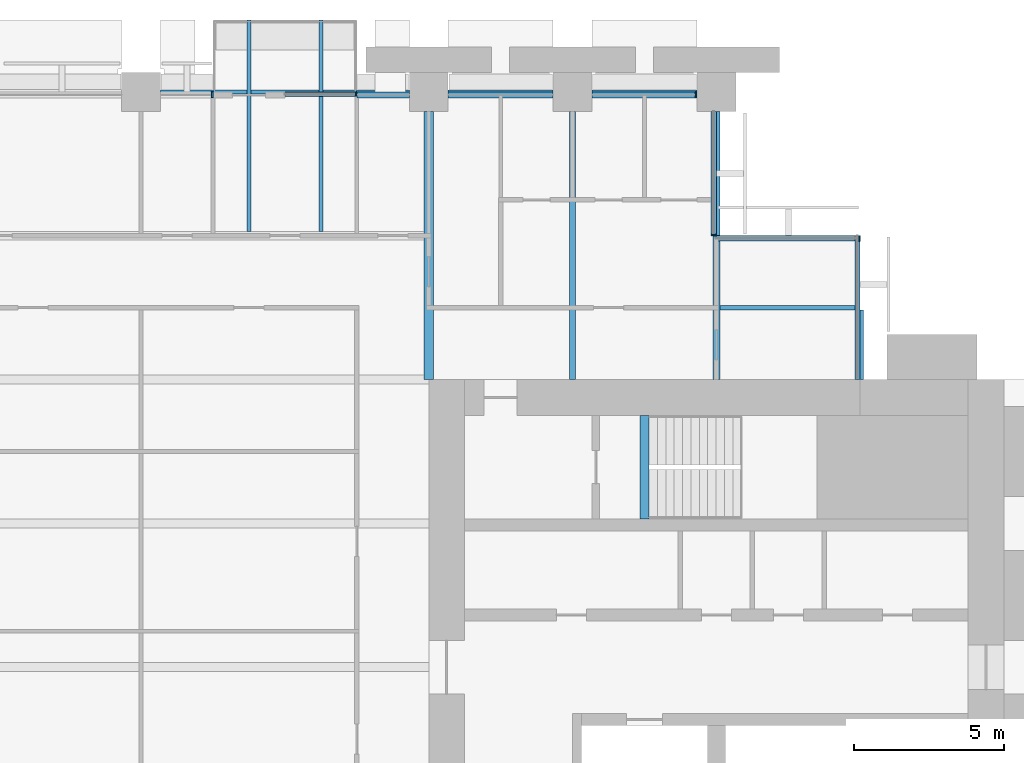
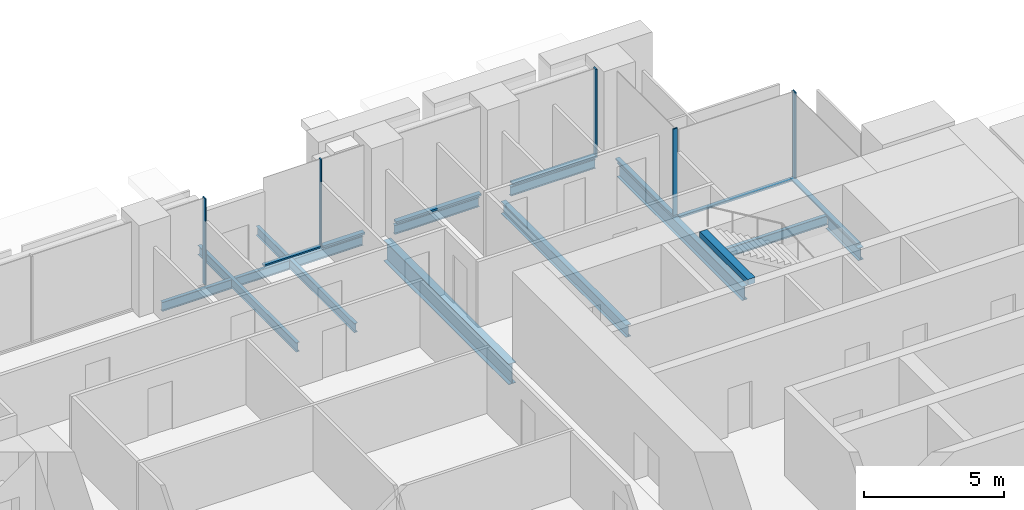
# One storey, part 7 of 15: 13 beams, 12 members, 6 elements without a shape of their own.
"""IFC4 building model written with IfcOpenShell, lengths in metres."""

from ifc_helpers import new_model, si_unit, direction, frame, origin, origin_2d, place, context, subcontext, project, spatial, rectangle, i_section, extrude, material, material_profile, profile_set, type_object, element, aggregate, save


model = new_model("IFC4")

# Units and contexts
model_context = context("Model", 3, precision=1e-05, world=origin(), true_north=direction((0.0, 1.0)))
body_context = subcontext(model_context, "Body", "Model", "MODEL_VIEW")
ifc_project = project(units=[si_unit("LENGTHUNIT", "METRE"), si_unit("AREAUNIT", "SQUARE_METRE"), si_unit("VOLUMEUNIT", "CUBIC_METRE"), si_unit("PLANEANGLEUNIT", "RADIAN"), si_unit("MASSUNIT", "GRAM", prefix="KILO")], contexts=[model_context])

# Site, building, storey
site_placement = place(None, origin())
site = spatial("IfcSite", under=ifc_project, at=site_placement, CompositionType="ELEMENT")
building_placement = place(site_placement, origin())
building = spatial("IfcBuilding", under=site, at=building_placement, Name="Baori Bourse Tower", CompositionType="ELEMENT")
storey_placement = place(building_placement, frame((0.0, 0.0, 59.0)))
storey = spatial("IfcBuildingStorey", under=building, at=storey_placement, Name="L12", CompositionType="ELEMENT", Elevation=59.0)

# Beams
ifc_material_1 = material(Name="Steel A992 Gr 50", Category="steel")
ifc_material_profile_1 = material_profile(ifc_material_1, i_section(OverallWidth=0.140380859375, OverallDepth=0.40380859375, WebThickness=0.007080078125, FlangeThickness=0.01123046875, at=origin_2d()), Name="W16x31")
ifc_profile_set_1 = profile_set([ifc_material_profile_1], Name="Steel A992 Gr 50")
beam_type_1 = type_object("IfcBeamType", Name="Balcony beam W16x31", PredefinedType="BEAM", material=ifc_profile_set_1)
for number, where, z_axis, x_axis, name in (
    (1, (32.39990234375, 50.39990234375, -0.36181640625), (0.0, -1.0, 0.0), (1.0, 0.0, 0.0), "Balcony beam L12"),
    (2, (34.800048828125, 50.39990234375, -0.36181640625), (0.0, -1.0, 0.0), (1.0, 0.0, 0.0), "Balcony beam L12"),
):
    element("IfcBeam", number, at=place(storey_placement, frame(where, z_axis=z_axis, x_axis=x_axis)), inside=storey, type_object=beam_type_1, Name=name, PredefinedType="BEAM", context=body_context, shape_type="SweptSolid", body=[
        extrude(i_section(OverallWidth=0.140380859375, OverallDepth=0.40380859375, WebThickness=0.007080078125, FlangeThickness=0.01123046875, at=origin_2d()), origin(), (0.0, 0.0, 1.0), 7.050048828125),
    ])

# Curtain wall, member
ifc_material_2 = material(Name="Pale anodised aluminium", Category="aluminium")
curtain_wall_type_1 = type_object("IfcCurtainWallType", Name="CW1 Curtain wall", PredefinedType="NOTDEFINED", material=ifc_material_2)
curtain_wall_1_placement = place(storey_placement, origin())
curtain_wall_1 = element("IfcCurtainWall", 3, at=curtain_wall_1_placement, inside=storey, type_object=curtain_wall_type_1, Name="Curtain wall CW1 L12 4", PredefinedType="NOTDEFINED")
ifc_material_3 = material(Name="Pale anodised aluminium", Category="aluminium")
ifc_material_profile_2 = material_profile(ifc_material_3, rectangle(XDim=0.199951171875, YDim=0.06005859375, at=origin_2d()), Name="Mullion 60x200")
ifc_profile_set_2 = profile_set([ifc_material_profile_2], Name="Pale anodised aluminium")
member_type_1 = type_object("IfcMemberType", Name="CW1 Curtain wall mullion", PredefinedType="MULLION", material=ifc_profile_set_2)
member_1_placement = place(storey_placement, frame((47.320068359375, 47.89990234375, 0.080078125), z_axis=(0.0, 0.0, 1.0), x_axis=(0.0, -1.0, 0.0)))
member_1 = element("IfcMember", 4, at=member_1_placement, type_object=member_type_1, Name="Curtain wall CW1 mullion", PredefinedType="MULLION", context=body_context, shape_type="SweptSolid", body=[
    extrude(rectangle(XDim=0.199951171875, YDim=0.06005859375, at=origin_2d()), origin(), (0.0, 0.0, 1.0), 3.760009765625),
])

curtain_wall_2_placement = place(storey_placement, origin())
curtain_wall_2 = element("IfcCurtainWall", 5, at=curtain_wall_2_placement, inside=storey, type_object=curtain_wall_type_1, Name="Curtain wall CW1 L12 6", PredefinedType="NOTDEFINED")
member_2_placement = place(storey_placement, frame((31.169921875, 47.89990234375, 0.080078125), z_axis=(0.0, 0.0, 1.0), x_axis=(0.0, -1.0, 0.0)))
member_2 = element("IfcMember", 6, at=member_2_placement, type_object=member_type_1, Name="Curtain wall CW1 mullion", PredefinedType="MULLION", context=body_context, shape_type="SweptSolid", body=[
    extrude(rectangle(XDim=0.199951171875, YDim=0.06005859375, at=origin_2d()), origin(), (0.0, 0.0, 1.0), 3.760009765625),
])
aggregate(curtain_wall_2, [member_2])

# Member
ifc_material_4 = material(Name="Pale anodised aluminium", Category="aluminium")
ifc_material_profile_3 = material_profile(ifc_material_4, rectangle(XDim=0.199951171875, YDim=0.080078125, at=origin_2d()), Name="Transom 80x200")
ifc_profile_set_3 = profile_set([ifc_material_profile_3], Name="Pale anodised aluminium")
member_type_2 = type_object("IfcMemberType", Name="CW1 Curtain wall transom", PredefinedType="USERDEFINED", material=ifc_profile_set_3)
member_3_placement = place(storey_placement, frame((47.35009765625, 47.89990234375, 0.0400390625), z_axis=(-1.0, 0.0, 0.0), x_axis=(0.0, -1.0, 0.0)))
member_3 = element("IfcMember", 7, at=member_3_placement, type_object=member_type_2, Name="Curtain wall CW1 sill rail", ObjectType="TRANSOM", PredefinedType="USERDEFINED", context=body_context, shape_type="SweptSolid", body=[
    extrude(rectangle(XDim=0.199951171875, YDim=0.080078125, at=origin_2d()), origin(), (0.0, 0.0, 1.0), 3.5),
])

member_4_placement = place(storey_placement, frame((42.550048828125, 47.89990234375, 0.0400390625), z_axis=(-1.0, 0.0, 0.0), x_axis=(0.0, -1.0, 0.0)))
member_4 = element("IfcMember", 8, at=member_4_placement, type_object=member_type_2, Name="Curtain wall CW1 sill rail", ObjectType="TRANSOM", PredefinedType="USERDEFINED", context=body_context, shape_type="SweptSolid", body=[
    extrude(rectangle(XDim=0.199951171875, YDim=0.080078125, at=origin_2d()), origin(), (0.0, 0.0, 1.0), 3.5),
])

member_5_placement = place(storey_placement, frame((37.75, 47.89990234375, 0.0400390625), z_axis=(-1.0, 0.0, 0.0), x_axis=(0.0, -1.0, 0.0)))
member_5 = element("IfcMember", 9, at=member_5_placement, type_object=member_type_2, Name="Curtain wall CW1 sill rail", ObjectType="TRANSOM", PredefinedType="USERDEFINED", context=body_context, shape_type="SweptSolid", body=[
    extrude(rectangle(XDim=0.199951171875, YDim=0.080078125, at=origin_2d()), origin(), (0.0, 0.0, 1.0), 1.75),
])

aggregate(curtain_wall_1, [member_3, member_1, member_4, member_5])

# Curtain wall, member
ifc_material_5 = material(Name="Pale anodised aluminium", Category="aluminium")
curtain_wall_type_2 = type_object("IfcCurtainWallType", Name="CW2 Curtain wall", PredefinedType="NOTDEFINED", material=ifc_material_5)
curtain_wall_3_placement = place(storey_placement, origin())
curtain_wall_3 = element("IfcCurtainWall", 10, at=curtain_wall_3_placement, inside=storey, type_object=curtain_wall_type_2, Name="Curtain wall CW2 L12 2", PredefinedType="NOTDEFINED")
ifc_material_6 = material(Name="Pale anodised aluminium", Category="aluminium")
ifc_material_profile_4 = material_profile(ifc_material_6, rectangle(XDim=0.179931640625, YDim=0.054931640625, at=origin_2d()), Name="Mullion 55x180")
ifc_profile_set_4 = profile_set([ifc_material_profile_4], Name="Pale anodised aluminium")
member_type_3 = type_object("IfcMemberType", Name="CW2 Curtain wall mullion", PredefinedType="MULLION", material=ifc_profile_set_4)
member_6_placement = place(storey_placement, frame((52.7724609375, 43.110107421875, 0.070068359375), z_axis=(0.0, 0.0, 1.0), x_axis=(0.0, -1.0, 0.0)))
member_6 = element("IfcMember", 11, at=member_6_placement, type_object=member_type_3, Name="Curtain wall CW2 mullion", PredefinedType="MULLION", context=body_context, shape_type="SweptSolid", body=[
    extrude(rectangle(XDim=0.179931640625, YDim=0.054931640625, at=origin_2d()), origin(), (0.0, 0.0, 1.0), 3.77001953125),
])

curtain_wall_4_placement = place(storey_placement, origin())
curtain_wall_4 = element("IfcCurtainWall", 12, at=curtain_wall_4_placement, inside=storey, type_object=curtain_wall_type_2, Name="Curtain wall CW2 L12 3", PredefinedType="NOTDEFINED")
member_7_placement = place(storey_placement, frame((47.909912109375, 43.2275390625, 0.070068359375), z_axis=(0.0, 0.0, 1.0), x_axis=(-1.0, 0.0, 0.0)))
member_7 = element("IfcMember", 13, at=member_7_placement, type_object=member_type_3, Name="Curtain wall CW2 mullion", PredefinedType="MULLION", context=body_context, shape_type="SweptSolid", body=[
    extrude(rectangle(XDim=0.179931640625, YDim=0.054931640625, at=origin_2d()), origin(), (0.0, 0.0, 1.0), 3.77001953125),
])

curtain_wall_5_placement = place(storey_placement, origin())
curtain_wall_5 = element("IfcCurtainWall", 14, at=curtain_wall_5_placement, inside=storey, type_object=curtain_wall_type_2, Name="Curtain wall CW2 L12 1", PredefinedType="NOTDEFINED")
ifc_material_7 = material(Name="Pale anodised aluminium", Category="aluminium")
ifc_material_profile_5 = material_profile(ifc_material_7, rectangle(XDim=0.179931640625, YDim=0.070068359375, at=origin_2d()), Name="Transom 70x180")
ifc_profile_set_5 = profile_set([ifc_material_profile_5], Name="Pale anodised aluminium")
member_type_4 = type_object("IfcMemberType", Name="CW2 Curtain wall transom", PredefinedType="USERDEFINED", material=ifc_profile_set_5)
member_8_placement = place(storey_placement, frame((52.7099609375, 38.39990234375, 0.034912109375), z_axis=(0.0, 1.0, 0.0), x_axis=(-1.0, 0.0, 0.0)))
member_8 = element("IfcMember", 15, at=member_8_placement, type_object=member_type_4, Name="Curtain wall CW2 sill rail", ObjectType="TRANSOM", PredefinedType="USERDEFINED", context=body_context, shape_type="SweptSolid", body=[
    extrude(rectangle(XDim=0.179931640625, YDim=0.070068359375, at=origin_2d()), origin(), (0.0, 0.0, 1.0), 4.800048828125),
])
aggregate(curtain_wall_5, [member_8])

# Member
member_9_placement = place(storey_placement, frame((52.800048828125, 43.110107421875, 0.034912109375), z_axis=(-1.0, 0.0, 0.0), x_axis=(0.0, -1.0, 0.0)))
member_9 = element("IfcMember", 16, at=member_9_placement, type_object=member_type_4, Name="Curtain wall CW2 sill rail", ObjectType="TRANSOM", PredefinedType="USERDEFINED", context=body_context, shape_type="SweptSolid", body=[
    extrude(rectangle(XDim=0.179931640625, YDim=0.070068359375, at=origin_2d()), origin(), (0.0, 0.0, 1.0), 4.800048828125),
])

aggregate(curtain_wall_3, [member_9, member_6])

member_10_placement = place(storey_placement, frame((47.909912109375, 43.199951171875, 0.034912109375), z_axis=(0.0, 1.0, 0.0), x_axis=(-1.0, 0.0, 0.0)))
member_10 = element("IfcMember", 17, at=member_10_placement, type_object=member_type_4, Name="Curtain wall CW2 sill rail", ObjectType="TRANSOM", PredefinedType="USERDEFINED", context=body_context, shape_type="SweptSolid", body=[
    extrude(rectangle(XDim=0.179931640625, YDim=0.070068359375, at=origin_2d()), origin(), (0.0, 0.0, 1.0), 4.150146484375),
])

aggregate(curtain_wall_4, [member_10, member_7])

# Curtain wall, members
ifc_material_8 = material(Name="Pale anodised aluminium", Category="aluminium")
curtain_wall_type_3 = type_object("IfcCurtainWallType", Name="CW6 Curtain wall", PredefinedType="NOTDEFINED", material=ifc_material_8)
curtain_wall_6_placement = place(storey_placement, origin())
curtain_wall_6 = element("IfcCurtainWall", 18, at=curtain_wall_6_placement, inside=storey, type_object=curtain_wall_type_3, Name="Curtain wall CW6 L12 5", PredefinedType="NOTDEFINED")
ifc_material_9 = material(Name="Pale anodised aluminium", Category="aluminium")
ifc_material_profile_6 = material_profile(ifc_material_9, rectangle(XDim=0.14990234375, YDim=0.050048828125, at=origin_2d()), Name="Mullion 50x150")
ifc_profile_set_6 = profile_set([ifc_material_profile_6], Name="Pale anodised aluminium")
member_type_5 = type_object("IfcMemberType", Name="CW6 Curtain wall mullion", PredefinedType="MULLION", material=ifc_profile_set_6)
member_11_placement = place(storey_placement, frame((35.97509765625, 47.925048828125, 0.06494140625), z_axis=(0.0, 0.0, 1.0), x_axis=(0.0, -1.0, 0.0)))
member_11 = element("IfcMember", 19, at=member_11_placement, type_object=member_type_5, Name="Curtain wall CW6 mullion", PredefinedType="MULLION", context=body_context, shape_type="SweptSolid", body=[
    extrude(rectangle(XDim=0.14990234375, YDim=0.050048828125, at=origin_2d()), origin(), (0.0, 0.0, 1.0), 3.775146484375),
])
ifc_material_10 = material(Name="Pale anodised aluminium", Category="aluminium")
ifc_material_profile_7 = material_profile(ifc_material_10, rectangle(XDim=0.14990234375, YDim=0.06494140625, at=origin_2d()), Name="Transom 65x150")
ifc_profile_set_7 = profile_set([ifc_material_profile_7], Name="Pale anodised aluminium")
member_type_6 = type_object("IfcMemberType", Name="CW6 Curtain wall transom", PredefinedType="USERDEFINED", material=ifc_profile_set_7)
member_12_placement = place(storey_placement, frame((36.0, 47.925048828125, 0.032470703125), z_axis=(-1.0, 0.0, 0.0), x_axis=(0.0, -1.0, 0.0)))
member_12 = element("IfcMember", 20, at=member_12_placement, type_object=member_type_6, Name="Curtain wall CW6 sill rail", ObjectType="TRANSOM", PredefinedType="USERDEFINED", context=body_context, shape_type="SweptSolid", body=[
    extrude(rectangle(XDim=0.14990234375, YDim=0.06494140625, at=origin_2d()), origin(), (0.0, 0.0, 1.0), 2.39990234375),
])
aggregate(curtain_wall_6, [member_12, member_11])

# Beams
ifc_material_11 = material(Name="Steel A992 Gr 50", Category="steel")
ifc_material_profile_8 = material_profile(ifc_material_11, i_section(OverallWidth=0.21240234375, OverallDepth=0.54345703125, WebThickness=0.01318359375, FlangeThickness=0.021240234375, at=origin_2d()), Name="W21x83")
ifc_profile_set_8 = profile_set([ifc_material_profile_8], Name="Steel A992 Gr 50")
beam_type_2 = type_object("IfcBeamType", Name="Core bracket W21x83", PredefinedType="BEAM", material=ifc_profile_set_8)
beam_1_placement = place(storey_placement, frame((52.800048828125, 38.39990234375, -0.431884765625), z_axis=(0.0, 1.0, 0.0), x_axis=(-1.0, 0.0, 0.0)))
element("IfcBeam", 21, at=beam_1_placement, inside=storey, type_object=beam_type_2, Name="Core bracket L12", PredefinedType="BEAM", context=body_context, shape_type="SweptSolid", body=[
    extrude(i_section(OverallWidth=0.21240234375, OverallDepth=0.54345703125, WebThickness=0.01318359375, FlangeThickness=0.021240234375, at=origin_2d()), origin(), (0.0, 0.0, 1.0), 2.329833984375),
])
ifc_material_12 = material(Name="Steel A992 Gr 50", Category="steel")
ifc_material_profile_9 = material_profile(ifc_material_12, i_section(OverallWidth=0.140380859375, OverallDepth=0.40380859375, WebThickness=0.007080078125, FlangeThickness=0.01123046875, at=origin_2d()), Name="W16x31")
ifc_profile_set_9 = profile_set([ifc_material_profile_9], Name="Steel A992 Gr 50")
beam_type_3 = type_object("IfcBeamType", Name="Edge beam W16x31", PredefinedType="BEAM", material=ifc_profile_set_9)
beam_2_placement = place(storey_placement, frame((29.449951171875, 48.0, -0.36181640625), z_axis=(1.0, 0.0, 0.0), x_axis=(0.0, 1.0, 0.0)))
element("IfcBeam", 22, at=beam_2_placement, inside=storey, type_object=beam_type_3, Name="Edge beam L12", PredefinedType="BEAM", context=body_context, shape_type="SweptSolid", body=[
    extrude(i_section(OverallWidth=0.140380859375, OverallDepth=0.40380859375, WebThickness=0.007080078125, FlangeThickness=0.01123046875, at=origin_2d()), origin(), (0.0, 0.0, 1.0), 2.8798828125),
])
beam_3_placement = place(storey_placement, frame((32.47021484375, 48.0, -0.36181640625), z_axis=(1.0, 0.0, 0.0), x_axis=(0.0, 1.0, 0.0)))
element("IfcBeam", 23, at=beam_3_placement, inside=storey, type_object=beam_type_3, Name="Edge beam L12", PredefinedType="BEAM", context=body_context, shape_type="SweptSolid", body=[
    extrude(i_section(OverallWidth=0.140380859375, OverallDepth=0.40380859375, WebThickness=0.007080078125, FlangeThickness=0.01123046875, at=origin_2d()), origin(), (0.0, 0.0, 1.0), 2.259521484375),
])
beam_4_placement = place(storey_placement, frame((34.8701171875, 48.0, -0.36181640625), z_axis=(1.0, 0.0, 0.0), x_axis=(0.0, 1.0, 0.0)))
element("IfcBeam", 24, at=beam_4_placement, inside=storey, type_object=beam_type_3, Name="Edge beam L12", PredefinedType="BEAM", context=body_context, shape_type="SweptSolid", body=[
    extrude(i_section(OverallWidth=0.140380859375, OverallDepth=0.40380859375, WebThickness=0.007080078125, FlangeThickness=0.01123046875, at=origin_2d()), origin(), (0.0, 0.0, 1.0), 2.8798828125),
])
for number, where, z_axis, x_axis, name in (
    (25, (39.050048828125, 48.0, -0.36181640625), (1.0, 0.0, 0.0), (0.0, 1.0, 0.0), "Edge beam L12"),
    (26, (43.85009765625, 48.0, -0.36181640625), (1.0, 0.0, 0.0), (0.0, 1.0, 0.0), "Edge beam L12"),
):
    element("IfcBeam", number, at=place(storey_placement, frame(where, z_axis=z_axis, x_axis=x_axis)), inside=storey, type_object=beam_type_3, Name=name, PredefinedType="BEAM", context=body_context, shape_type="SweptSolid", body=[
        extrude(i_section(OverallWidth=0.140380859375, OverallDepth=0.40380859375, WebThickness=0.007080078125, FlangeThickness=0.01123046875, at=origin_2d()), origin(), (0.0, 0.0, 1.0), 3.5),
    ])
ifc_material_13 = material(Name="Steel A992 Gr 50", Category="steel")
ifc_material_profile_10 = material_profile(ifc_material_13, i_section(OverallWidth=0.209228515625, OverallDepth=0.533447265625, WebThickness=0.01025390625, FlangeThickness=0.015625, at=origin_2d()), Name="W21x62")
ifc_profile_set_10 = profile_set([ifc_material_profile_10], Name="Steel A992 Gr 50")
beam_type_4 = type_object("IfcBeamType", Name="Floor beam W21x62", PredefinedType="BEAM", material=ifc_profile_set_10)
beam_5_placement = place(storey_placement, frame((43.199951171875, 38.39990234375, -0.4267578125), z_axis=(0.0, 1.0, 0.0), x_axis=(-1.0, 0.0, 0.0)))
element("IfcBeam", 27, at=beam_5_placement, inside=storey, type_object=beam_type_4, Name="Floor beam L12", PredefinedType="BEAM", context=body_context, shape_type="SweptSolid", body=[
    extrude(i_section(OverallWidth=0.209228515625, OverallDepth=0.533447265625, WebThickness=0.01025390625, FlangeThickness=0.015625, at=origin_2d()), origin(), (0.0, 0.0, 1.0), 8.9501953125),
])
ifc_material_14 = material(Name="Steel A992 Gr 50", Category="steel")
ifc_material_profile_11 = material_profile(ifc_material_14, i_section(OverallWidth=0.227783203125, OverallDepth=0.60205078125, WebThickness=0.010498046875, FlangeThickness=0.014892578125, at=origin_2d()), Name="W24x68")
ifc_profile_set_11 = profile_set([ifc_material_profile_11], Name="Steel A992 Gr 50")
beam_type_5 = type_object("IfcBeamType", Name="Floor beam W24x68", PredefinedType="BEAM", material=ifc_profile_set_11)
beam_6_placement = place(storey_placement, frame((48.0, 38.39990234375, -0.4609375), z_axis=(0.0, 1.0, 0.0), x_axis=(-1.0, 0.0, 0.0)))
element("IfcBeam", 28, at=beam_6_placement, inside=storey, type_object=beam_type_5, Name="Floor beam L12", PredefinedType="BEAM", context=body_context, shape_type="SweptSolid", body=[
    extrude(i_section(OverallWidth=0.227783203125, OverallDepth=0.60205078125, WebThickness=0.010498046875, FlangeThickness=0.014892578125, at=origin_2d()), origin(), (0.0, 0.0, 1.0), 8.9501953125),
])
ifc_material_15 = material(Name="Steel A992 Gr 50", Category="steel")
ifc_material_profile_12 = material_profile(ifc_material_15, i_section(OverallWidth=0.3046875, OverallDepth=0.904296875, WebThickness=0.01513671875, FlangeThickness=0.02001953125, at=origin_2d()), Name="W36x135")
ifc_profile_set_12 = profile_set([ifc_material_profile_12], Name="Steel A992 Gr 50")
beam_type_6 = type_object("IfcBeamType", Name="Girder W36x135", PredefinedType="BEAM", material=ifc_profile_set_12)
beam_7_placement = place(storey_placement, frame((38.39990234375, 38.39990234375, -0.612060546875), z_axis=(0.0, 1.0, 0.0), x_axis=(-1.0, 0.0, 0.0)))
element("IfcBeam", 29, at=beam_7_placement, inside=storey, type_object=beam_type_6, Name="Girder L12", PredefinedType="BEAM", context=body_context, shape_type="SweptSolid", body=[
    extrude(i_section(OverallWidth=0.3046875, OverallDepth=0.904296875, WebThickness=0.01513671875, FlangeThickness=0.02001953125, at=origin_2d()), origin(), (0.0, 0.0, 1.0), 8.9501953125),
])
ifc_material_16 = material(Name="Concrete f'c 50 MPa", Category="concrete")
ifc_material_profile_13 = material_profile(ifc_material_16, rectangle(XDim=0.300048828125, YDim=0.25, at=origin_2d()), Name="RC 300x250")
ifc_profile_set_13 = profile_set([ifc_material_profile_13], Name="Concrete f'c 50 MPa")
beam_type_7 = type_object("IfcBeamType", Name="Stair nib beam RC 300x250", PredefinedType="BEAM", material=ifc_profile_set_13)
beam_8_placement = place(storey_placement, frame((45.60009765625, 33.75, 3.715087890625), z_axis=(0.0, 1.0, 0.0), x_axis=(-1.0, 0.0, 0.0)))
element("IfcBeam", 30, at=beam_8_placement, inside=storey, type_object=beam_type_7, Name="Stair EB nib beam L13", PredefinedType="BEAM", context=body_context, shape_type="SweptSolid", body=[
    extrude(rectangle(XDim=0.300048828125, YDim=0.25, at=origin_2d()), origin(), (0.0, 0.0, 1.0), 3.449951171875),
])
ifc_material_17 = material(Name="Steel A992 Gr 50", Category="steel")
ifc_material_profile_14 = material_profile(ifc_material_17, i_section(OverallWidth=0.140380859375, OverallDepth=0.40380859375, WebThickness=0.007080078125, FlangeThickness=0.01123046875, at=origin_2d()), Name="W16x31")
ifc_profile_set_14 = profile_set([ifc_material_profile_14], Name="Steel A992 Gr 50")
beam_type_8 = type_object("IfcBeamType", Name="Trimmer beam W16x31", PredefinedType="BEAM", material=ifc_profile_set_14)
beam_9_placement = place(storey_placement, frame((48.114013671875, 40.800048828125, -0.36181640625), z_axis=(1.0, 0.0, 0.0), x_axis=(0.0, 1.0, 0.0)))
element("IfcBeam", 31, at=beam_9_placement, inside=storey, type_object=beam_type_8, Name="Trimmer beam L12", PredefinedType="BEAM", context=body_context, shape_type="SweptSolid", body=[
    extrude(i_section(OverallWidth=0.140380859375, OverallDepth=0.40380859375, WebThickness=0.007080078125, FlangeThickness=0.01123046875, at=origin_2d()), origin(), (0.0, 0.0, 1.0), 4.68603515625),
])

save(model, "model.ifc")
